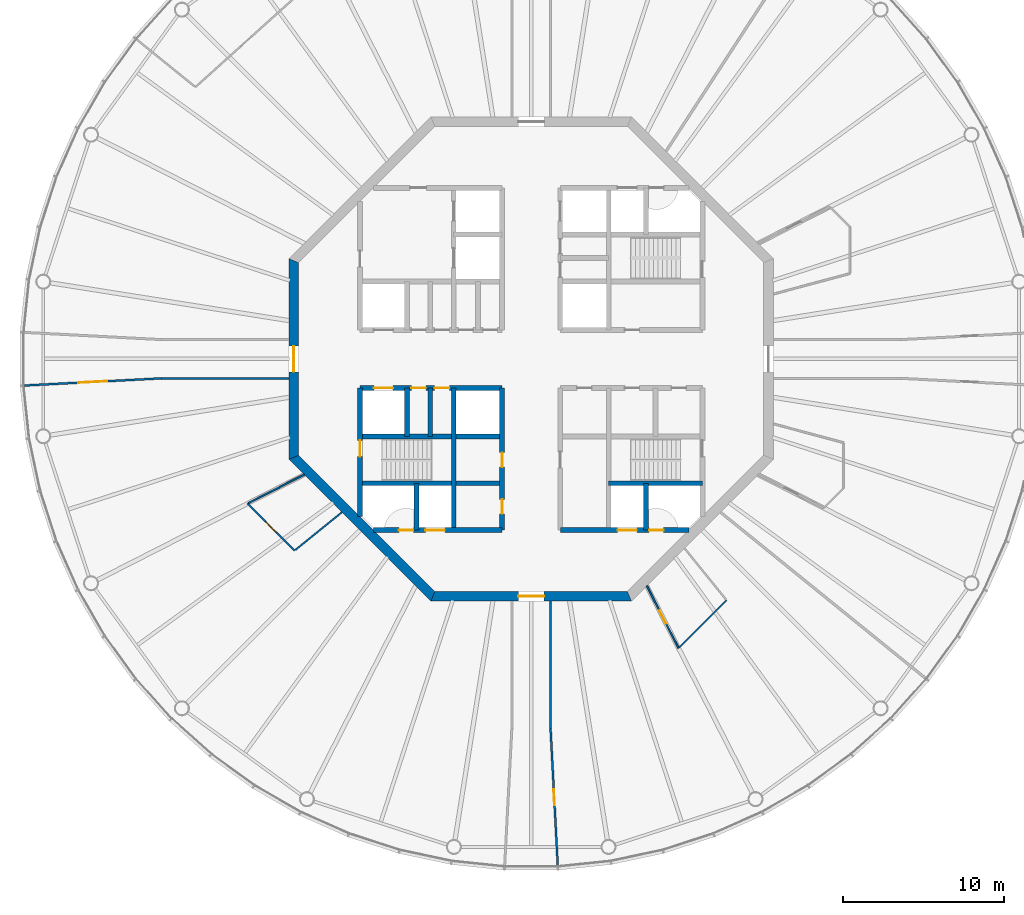
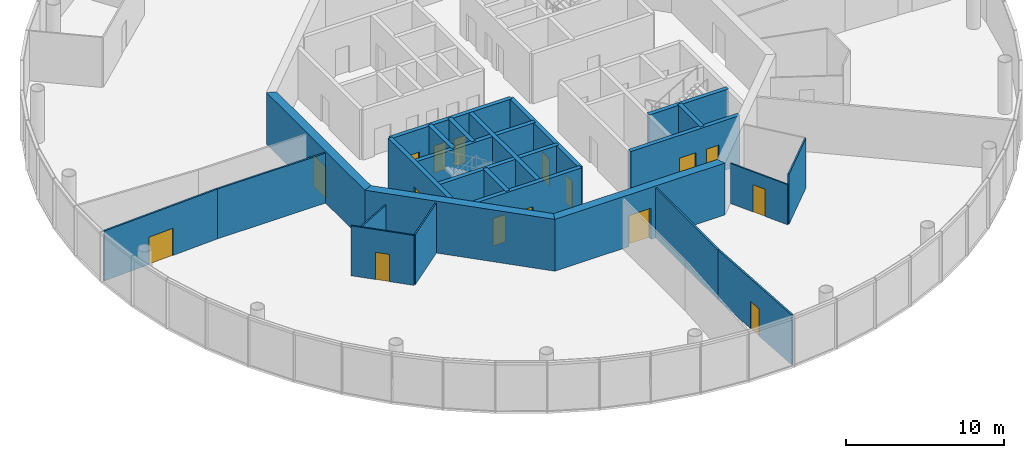
# One storey, part 3 of 13: 25 walls, 16 doors, 16 openings.
"""IFC4 building model written with IfcOpenShell, lengths in metres."""

from ifc_helpers import new_model, si_unit, direction, frame, frame_2d, origin, place, context, subcontext, project, spatial, polyline, rectangle, outline, extrude, material, layer, layer_set, type_object, element, fill, save


model = new_model("IFC4")

# Units and contexts
model_context = context("Model", 3, precision=1e-05, world=origin(), true_north=direction((0.0, 1.0)))
body_context = subcontext(model_context, "Body", "Model", "MODEL_VIEW")
ifc_project = project(units=[si_unit("LENGTHUNIT", "METRE"), si_unit("AREAUNIT", "SQUARE_METRE"), si_unit("VOLUMEUNIT", "CUBIC_METRE"), si_unit("PLANEANGLEUNIT", "RADIAN"), si_unit("MASSUNIT", "GRAM", prefix="KILO")], contexts=[model_context])

# Site, building, storey
site_placement = place(None, origin())
site = spatial("IfcSite", under=ifc_project, at=site_placement, CompositionType="ELEMENT")
building_placement = place(site_placement, origin())
building = spatial("IfcBuilding", under=site, at=building_placement, Name="Entoto Ring Tower", CompositionType="ELEMENT")
storey_placement = place(building_placement, frame((0.0, 0.0, 348.0)))
storey = spatial("IfcBuildingStorey", under=building, at=storey_placement, Name="L80", CompositionType="ELEMENT", Elevation=348.0)

# Wall
ifc_material_1 = material(Name="Concrete C40/50", Category="concrete")
ifc_layer_1 = layer(ifc_material_1, 0.300048828125)
ifc_layer_set_1 = layer_set([ifc_layer_1], Name="Concrete C40/50")
wall_type_1 = type_object("IfcWallType", Name="Core enclosure wall 300 mm reinforced concrete", PredefinedType="SOLIDWALL", material=ifc_layer_set_1)
wall_1_placement = place(storey_placement, frame((97.10009765625, 69.39990234375, 0.0), z_axis=(0.0, 0.0, 1.0), x_axis=(0.0, 1.0, 0.0)))
element("IfcWall", 1, at=wall_1_placement, inside=storey, type_object=wall_type_1, Name="wall-L80-004", PredefinedType="SOLIDWALL", context=body_context, shape_type="SweptSolid", body=[
    extrude(rectangle(XDim=2.900146484375, YDim=0.300048828125, at=frame_2d((1.4501953125, 0.0))), origin(), (0.0, 0.0, 1.0), 3.85009765625),
])

# Wall, openings, doors
wall_2_placement = place(storey_placement, frame((88.199951171875, 69.39990234375, 0.0), z_axis=(0.0, 0.0, 1.0), x_axis=(0.0, 1.0, 0.0)))
wall_2 = element("IfcWall", 2, at=wall_2_placement, inside=storey, type_object=wall_type_1, Name="wall-L80-010", PredefinedType="SOLIDWALL", context=body_context, shape_type="SweptSolid", body=[
    extrude(rectangle(XDim=8.800048828125, YDim=0.300048828125, at=frame_2d((4.39990234375, 0.0))), origin(), (0.0, 0.0, 1.0), 3.85009765625),
])
opening_1_placement = place(wall_2_placement, frame((3.89990234375, 0.0, 0.0)))
opening_1 = element("IfcOpeningElement", 3, at=opening_1_placement, cuts=wall_2, Name="Opening K-21", PredefinedType="OPENING", context=body_context, shape_type="SweptSolid", body=[
    extrude(rectangle(XDim=0.89990234375, YDim=2.10009765625, at=frame_2d((0.449951171875, 1.050048828125))), frame((0.0, 0.16015625, 0.0), z_axis=(0.0, -1.0, 0.0), x_axis=(1.0, 0.0, 0.0)), (0.0, 0.0, 1.0), 0.320068359375),
])
opening_2_placement = place(wall_2_placement, frame((1.0, 0.0, 0.0)))
opening_2 = element("IfcOpeningElement", 4, at=opening_2_placement, cuts=wall_2, Name="Opening K-69", PredefinedType="OPENING", context=body_context, shape_type="SweptSolid", body=[
    extrude(rectangle(XDim=0.89990234375, YDim=2.10009765625, at=frame_2d((0.449951171875, 1.050048828125))), frame((0.0, 0.16015625, 0.0), z_axis=(0.0, -1.0, 0.0), x_axis=(1.0, 0.0, 0.0)), (0.0, 0.0, 1.0), 0.320068359375),
])
ifc_material_2 = material(Name="Steel door leaf, fire rated", Category="steel")
ifc_layer_2 = layer(ifc_material_2, 0.050048828125)
ifc_layer_set_2 = layer_set([ifc_layer_2], Name="Steel door leaf, fire rated")
door_type_1 = type_object("IfcDoorType", Name="Core door 900 x 2100 single leaf", OperationType="NOTDEFINED", PredefinedType="DOOR", material=ifc_layer_set_2)
door_1_placement = place(opening_1_placement, origin())
door_1 = element("IfcDoor", 5, at=door_1_placement, inside=storey, type_object=door_type_1, Name="Door K-21", OperationType="SINGLE_SWING_RIGHT", OverallHeight=2.10009765625, OverallWidth=0.89990234375, PredefinedType="DOOR", context=body_context, shape_type="SweptSolid", body=[
    extrude(rectangle(XDim=0.89990234375, YDim=2.10009765625, at=frame_2d((0.449951171875, 1.050048828125))), frame((0.0, 0.02490234375, 0.0), z_axis=(0.0, -1.0, 0.0), x_axis=(1.0, 0.0, 0.0)), (0.0, 0.0, 1.0), 0.050048828125),
])
fill(opening_1, door_1)
door_2_placement = place(opening_2_placement, origin())
door_2 = element("IfcDoor", 6, at=door_2_placement, inside=storey, type_object=door_type_1, Name="Door K-69", OperationType="SINGLE_SWING_RIGHT", OverallHeight=2.10009765625, OverallWidth=0.89990234375, PredefinedType="DOOR", context=body_context, shape_type="SweptSolid", body=[
    extrude(rectangle(XDim=0.89990234375, YDim=2.10009765625, at=frame_2d((0.449951171875, 1.050048828125))), frame((0.0, 0.02490234375, 0.0), z_axis=(0.0, -1.0, 0.0), x_axis=(1.0, 0.0, 0.0)), (0.0, 0.0, 1.0), 0.050048828125),
])
fill(opening_2, door_2)

# Walls
wall_3_placement = place(storey_placement, frame((85.199951171875, 69.39990234375, 0.0), z_axis=(0.0, 0.0, 1.0), x_axis=(0.0, 1.0, 0.0)))
element("IfcWall", 7, at=wall_3_placement, inside=storey, type_object=wall_type_1, Name="wall-L80-013", PredefinedType="SOLIDWALL", context=body_context, shape_type="SweptSolid", body=[
    extrude(rectangle(XDim=8.800048828125, YDim=0.300048828125, at=frame_2d((4.39990234375, 0.0))), origin(), (0.0, 0.0, 1.0), 3.85009765625),
])
wall_4_placement = place(storey_placement, frame((83.75, 75.199951171875, 0.0), z_axis=(0.0, 0.0, 1.0), x_axis=(0.0, 1.0, 0.0)))
element("IfcWall", 8, at=wall_4_placement, inside=storey, type_object=wall_type_1, Name="wall-L80-015", PredefinedType="SOLIDWALL", context=body_context, shape_type="SweptSolid", body=[
    extrude(rectangle(XDim=3.0, YDim=0.300048828125, at=frame_2d((1.5, 0.0))), origin(), (0.0, 0.0, 1.0), 3.85009765625),
])
wall_5_placement = place(storey_placement, frame((82.89990234375, 69.39990234375, 0.0), z_axis=(0.0, 0.0, 1.0), x_axis=(0.0, 1.0, 0.0)))
element("IfcWall", 9, at=wall_5_placement, inside=storey, type_object=wall_type_1, Name="wall-L80-017", PredefinedType="SOLIDWALL", context=body_context, shape_type="SweptSolid", body=[
    extrude(rectangle(XDim=2.900146484375, YDim=0.300048828125, at=frame_2d((1.4501953125, 0.0))), origin(), (0.0, 0.0, 1.0), 3.85009765625),
])
wall_6_placement = place(storey_placement, frame((82.300048828125, 75.199951171875, 0.0), z_axis=(0.0, 0.0, 1.0), x_axis=(0.0, 1.0, 0.0)))
element("IfcWall", 10, at=wall_6_placement, inside=storey, type_object=wall_type_1, Name="wall-L80-018", PredefinedType="SOLIDWALL", context=body_context, shape_type="SweptSolid", body=[
    extrude(rectangle(XDim=3.0, YDim=0.300048828125, at=frame_2d((1.5, 0.0))), origin(), (0.0, 0.0, 1.0), 3.85009765625),
])

# Wall, opening, door
wall_7_placement = place(storey_placement, frame((79.39990234375, 70.2353515625, 0.0), z_axis=(0.0, 0.0, 1.0), x_axis=(0.0, 1.0, 0.0)))
wall_7 = element("IfcWall", 11, at=wall_7_placement, inside=storey, type_object=wall_type_1, Name="wall-L80-020", PredefinedType="SOLIDWALL", context=body_context, shape_type="SweptSolid", body=[
    extrude(rectangle(XDim=7.964599609375, YDim=0.300048828125, at=frame_2d((3.982421875, 0.0))), origin(), (0.0, 0.0, 1.0), 3.85009765625),
])
opening_3_placement = place(wall_7_placement, frame((3.714599609375, 0.0, 0.0)))
opening_3 = element("IfcOpeningElement", 12, at=opening_3_placement, cuts=wall_7, Name="Opening K-27", PredefinedType="OPENING", context=body_context, shape_type="SweptSolid", body=[
    extrude(rectangle(XDim=1.0, YDim=2.10009765625, at=frame_2d((0.5, 1.050048828125))), frame((0.0, 0.16015625, 0.0), z_axis=(0.0, -1.0, 0.0), x_axis=(1.0, 0.0, 0.0)), (0.0, 0.0, 1.0), 0.320068359375),
])
ifc_material_3 = material(Name="Steel door leaf, fire rated", Category="steel")
ifc_layer_3 = layer(ifc_material_3, 0.050048828125)
ifc_layer_set_3 = layer_set([ifc_layer_3], Name="Steel door leaf, fire rated")
door_type_2 = type_object("IfcDoorType", Name="Fire door FD60 1000 x 2100 single leaf", OperationType="NOTDEFINED", PredefinedType="DOOR", material=ifc_layer_set_3)
door_3_placement = place(opening_3_placement, frame((1.0, 0.0, 0.0), z_axis=(0.0, 0.0, 1.0), x_axis=(-1.0, 0.0, 0.0)))
door_3 = element("IfcDoor", 13, at=door_3_placement, inside=storey, type_object=door_type_2, Name="Door K-27", OperationType="SINGLE_SWING_LEFT", OverallHeight=2.10009765625, OverallWidth=1.0, PredefinedType="DOOR", context=body_context, shape_type="SweptSolid", body=[
    extrude(rectangle(XDim=1.0, YDim=2.10009765625, at=frame_2d((0.5, 1.050048828125))), frame((0.0, 0.02490234375, 0.0), z_axis=(0.0, -1.0, 0.0), x_axis=(1.0, 0.0, 0.0)), (0.0, 0.0, 1.0), 0.050048828125),
])
fill(opening_3, door_3)

# Wall, openings, doors
wall_8_placement = place(storey_placement, frame((80.2353515625, 69.39990234375, 0.0), z_axis=(0.0, 0.0, 1.0), x_axis=(1.0, 0.0, 0.0)))
wall_8 = element("IfcWall", 14, at=wall_8_placement, inside=storey, type_object=wall_type_1, Name="wall-L80-022", PredefinedType="SOLIDWALL", context=body_context, shape_type="SweptSolid", body=[
    extrude(rectangle(XDim=7.964599609375, YDim=0.300048828125, at=frame_2d((3.982421875, 0.0))), origin(), (0.0, 0.0, 1.0), 3.85009765625),
])
opening_4_placement = place(wall_8_placement, frame((3.214599609375, 0.0, 0.0)))
opening_4 = element("IfcOpeningElement", 15, at=opening_4_placement, cuts=wall_8, Name="Opening LD", PredefinedType="OPENING", context=body_context, shape_type="SweptSolid", body=[
    extrude(rectangle(XDim=1.199951171875, YDim=2.10009765625, at=frame_2d((0.60009765625, 1.050048828125))), frame((0.0, 0.16015625, 0.0), z_axis=(0.0, -1.0, 0.0), x_axis=(1.0, 0.0, 0.0)), (0.0, 0.0, 1.0), 0.320068359375),
])
opening_5_placement = place(wall_8_placement, frame((1.564697265625, 0.0, 0.0)))
opening_5 = element("IfcOpeningElement", 16, at=opening_5_placement, cuts=wall_8, Name="Opening K-84", PredefinedType="OPENING", context=body_context, shape_type="SweptSolid", body=[
    extrude(rectangle(XDim=0.89990234375, YDim=2.10009765625, at=frame_2d((0.449951171875, 1.050048828125))), frame((0.0, 0.16015625, 0.0), z_axis=(0.0, -1.0, 0.0), x_axis=(1.0, 0.0, 0.0)), (0.0, 0.0, 1.0), 0.320068359375),
])
ifc_material_4 = material(Name="Steel and glass door leaf", Category="steel")
ifc_layer_4 = layer(ifc_material_4, 0.050048828125)
ifc_layer_set_4 = layer_set([ifc_layer_4], Name="Steel and glass door leaf")
door_type_3 = type_object("IfcDoorType", Name="Landing door 1200 x 2100 sliding", OperationType="DOUBLE_DOOR_SLIDING", PredefinedType="DOOR", material=ifc_layer_set_4)
door_4_placement = place(opening_4_placement, origin())
door_4 = element("IfcDoor", 17, at=door_4_placement, inside=storey, type_object=door_type_3, Name="Landing door LB3-HR", OperationType="SLIDING_TO_RIGHT", OverallHeight=2.10009765625, OverallWidth=1.199951171875, PredefinedType="DOOR", context=body_context, shape_type="SweptSolid", body=[
    extrude(rectangle(XDim=1.199951171875, YDim=2.10009765625, at=frame_2d((0.60009765625, 1.050048828125))), frame((0.0, 0.02490234375, 0.0), z_axis=(0.0, -1.0, 0.0), x_axis=(1.0, 0.0, 0.0)), (0.0, 0.0, 1.0), 0.050048828125),
])
fill(opening_4, door_4)
ifc_material_5 = material(Name="Steel door leaf, fire rated", Category="steel")
ifc_layer_5 = layer(ifc_material_5, 0.050048828125)
ifc_layer_set_5 = layer_set([ifc_layer_5], Name="Steel door leaf, fire rated")
door_type_4 = type_object("IfcDoorType", Name="Riser door FD60 900 x 2100 single leaf", OperationType="NOTDEFINED", PredefinedType="DOOR", material=ifc_layer_set_5)
door_5_placement = place(opening_5_placement, origin())
door_5 = element("IfcDoor", 18, at=door_5_placement, inside=storey, type_object=door_type_4, Name="Door K-84", OperationType="SINGLE_SWING_RIGHT", OverallHeight=2.10009765625, OverallWidth=0.89990234375, PredefinedType="DOOR", context=body_context, shape_type="SweptSolid", body=[
    extrude(rectangle(XDim=0.89990234375, YDim=2.10009765625, at=frame_2d((0.449951171875, 1.050048828125))), frame((0.0, 0.02490234375, 0.0), z_axis=(0.0, -1.0, 0.0), x_axis=(1.0, 0.0, 0.0)), (0.0, 0.0, 1.0), 0.050048828125),
])
fill(opening_5, door_5)

wall_9_placement = place(storey_placement, frame((91.800048828125, 69.39990234375, 0.0), z_axis=(0.0, 0.0, 1.0), x_axis=(1.0, 0.0, 0.0)))
wall_9 = element("IfcWall", 19, at=wall_9_placement, inside=storey, type_object=wall_type_1, Name="wall-L80-023", PredefinedType="SOLIDWALL", context=body_context, shape_type="SweptSolid", body=[
    extrude(rectangle(XDim=7.964599609375, YDim=0.300048828125, at=frame_2d((3.982421875, 0.0))), origin(), (0.0, 0.0, 1.0), 3.85009765625),
])
opening_6_placement = place(wall_9_placement, frame((3.550048828125, 0.0, 0.0)))
opening_6 = element("IfcOpeningElement", 20, at=opening_6_placement, cuts=wall_9, Name="Opening LD", PredefinedType="OPENING", context=body_context, shape_type="SweptSolid", body=[
    extrude(rectangle(XDim=1.199951171875, YDim=2.10009765625, at=frame_2d((0.60009765625, 1.050048828125))), frame((0.0, 0.16015625, 0.0), z_axis=(0.0, -1.0, 0.0), x_axis=(1.0, 0.0, 0.0)), (0.0, 0.0, 1.0), 0.320068359375),
])
opening_7_placement = place(wall_9_placement, frame((5.5, 0.0, 0.0)))
opening_7 = element("IfcOpeningElement", 21, at=opening_7_placement, cuts=wall_9, Name="Opening K-85", PredefinedType="OPENING", context=body_context, shape_type="SweptSolid", body=[
    extrude(rectangle(XDim=0.89990234375, YDim=2.10009765625, at=frame_2d((0.449951171875, 1.050048828125))), frame((0.0, 0.16015625, 0.0), z_axis=(0.0, -1.0, 0.0), x_axis=(1.0, 0.0, 0.0)), (0.0, 0.0, 1.0), 0.320068359375),
])
door_6_placement = place(opening_6_placement, origin())
door_6 = element("IfcDoor", 22, at=door_6_placement, inside=storey, type_object=door_type_3, Name="Landing door LB2-HR", OperationType="SLIDING_TO_RIGHT", OverallHeight=2.10009765625, OverallWidth=1.199951171875, PredefinedType="DOOR", context=body_context, shape_type="SweptSolid", body=[
    extrude(rectangle(XDim=1.199951171875, YDim=2.10009765625, at=frame_2d((0.60009765625, 1.050048828125))), frame((0.0, 0.02490234375, 0.0), z_axis=(0.0, -1.0, 0.0), x_axis=(1.0, 0.0, 0.0)), (0.0, 0.0, 1.0), 0.050048828125),
])
fill(opening_6, door_6)
door_7_placement = place(opening_7_placement, origin())
door_7 = element("IfcDoor", 23, at=door_7_placement, inside=storey, type_object=door_type_4, Name="Door K-85", OperationType="SINGLE_SWING_LEFT", OverallHeight=2.10009765625, OverallWidth=0.89990234375, PredefinedType="DOOR", context=body_context, shape_type="SweptSolid", body=[
    extrude(rectangle(XDim=0.89990234375, YDim=2.10009765625, at=frame_2d((0.449951171875, 1.050048828125))), frame((0.0, 0.02490234375, 0.0), z_axis=(0.0, -1.0, 0.0), x_axis=(1.0, 0.0, 0.0)), (0.0, 0.0, 1.0), 0.050048828125),
])
fill(opening_7, door_7)

# Walls
wall_10_placement = place(storey_placement, frame((79.39990234375, 72.300048828125, 0.0), z_axis=(0.0, 0.0, 1.0), x_axis=(1.0, 0.0, 0.0)))
element("IfcWall", 24, at=wall_10_placement, inside=storey, type_object=wall_type_1, Name="wall-L80-024", PredefinedType="SOLIDWALL", context=body_context, shape_type="SweptSolid", body=[
    extrude(rectangle(XDim=8.800048828125, YDim=0.300048828125, at=frame_2d((4.39990234375, 0.0))), origin(), (0.0, 0.0, 1.0), 3.85009765625),
])
wall_11_placement = place(storey_placement, frame((94.800048828125, 72.300048828125, 0.0), z_axis=(0.0, 0.0, 1.0), x_axis=(1.0, 0.0, 0.0)))
element("IfcWall", 25, at=wall_11_placement, inside=storey, type_object=wall_type_1, Name="wall-L80-025", PredefinedType="SOLIDWALL", context=body_context, shape_type="SweptSolid", body=[
    extrude(rectangle(XDim=5.800048828125, YDim=0.300048828125, at=frame_2d((2.89990234375, 0.0))), origin(), (0.0, 0.0, 1.0), 3.85009765625),
])
wall_12_placement = place(storey_placement, frame((79.39990234375, 75.199951171875, 0.0), z_axis=(0.0, 0.0, 1.0), x_axis=(1.0, 0.0, 0.0)))
element("IfcWall", 26, at=wall_12_placement, inside=storey, type_object=wall_type_1, Name="wall-L80-026", PredefinedType="SOLIDWALL", context=body_context, shape_type="SweptSolid", body=[
    extrude(rectangle(XDim=8.800048828125, YDim=0.300048828125, at=frame_2d((4.39990234375, 0.0))), origin(), (0.0, 0.0, 1.0), 3.85009765625),
])

# Wall, openings, doors
wall_13_placement = place(storey_placement, frame((79.39990234375, 78.199951171875, 0.0), z_axis=(0.0, 0.0, 1.0), x_axis=(1.0, 0.0, 0.0)))
wall_13 = element("IfcWall", 27, at=wall_13_placement, inside=storey, type_object=wall_type_1, Name="wall-L80-028", PredefinedType="SOLIDWALL", context=body_context, shape_type="SweptSolid", body=[
    extrude(rectangle(XDim=8.800048828125, YDim=0.300048828125, at=frame_2d((4.39990234375, 0.0))), origin(), (0.0, 0.0, 1.0), 3.85009765625),
])
opening_8_placement = place(wall_13_placement, frame((0.85009765625, 0.0, 0.0)))
opening_8 = element("IfcOpeningElement", 28, at=opening_8_placement, cuts=wall_13, Name="Opening LD", PredefinedType="OPENING", context=body_context, shape_type="SweptSolid", body=[
    extrude(rectangle(XDim=1.199951171875, YDim=2.10009765625, at=frame_2d((0.60009765625, 1.050048828125))), frame((0.0, 0.16015625, 0.0), z_axis=(0.0, -1.0, 0.0), x_axis=(1.0, 0.0, 0.0)), (0.0, 0.0, 1.0), 0.320068359375),
])
opening_9_placement = place(wall_13_placement, frame((3.175048828125, 0.0, 0.0)))
opening_9 = element("IfcOpeningElement", 29, at=opening_9_placement, cuts=wall_13, Name="Opening K-16", PredefinedType="OPENING", context=body_context, shape_type="SweptSolid", body=[
    extrude(rectangle(XDim=0.89990234375, YDim=2.10009765625, at=frame_2d((0.449951171875, 1.050048828125))), frame((0.0, 0.16015625, 0.0), z_axis=(0.0, -1.0, 0.0), x_axis=(1.0, 0.0, 0.0)), (0.0, 0.0, 1.0), 0.320068359375),
])
opening_10_placement = place(wall_13_placement, frame((4.625, 0.0, 0.0)))
opening_10 = element("IfcOpeningElement", 30, at=opening_10_placement, cuts=wall_13, Name="Opening K-57", PredefinedType="OPENING", context=body_context, shape_type="SweptSolid", body=[
    extrude(rectangle(XDim=0.89990234375, YDim=2.10009765625, at=frame_2d((0.449951171875, 1.050048828125))), frame((0.0, 0.16015625, 0.0), z_axis=(0.0, -1.0, 0.0), x_axis=(1.0, 0.0, 0.0)), (0.0, 0.0, 1.0), 0.320068359375),
])
door_8_placement = place(opening_9_placement, frame((0.89990234375, 0.0, 0.0), z_axis=(0.0, 0.0, 1.0), x_axis=(-1.0, 0.0, 0.0)))
door_8 = element("IfcDoor", 31, at=door_8_placement, inside=storey, type_object=door_type_1, Name="Door K-16", OperationType="SINGLE_SWING_LEFT", OverallHeight=2.10009765625, OverallWidth=0.89990234375, PredefinedType="DOOR", context=body_context, shape_type="SweptSolid", body=[
    extrude(rectangle(XDim=0.89990234375, YDim=2.10009765625, at=frame_2d((0.449951171875, 1.050048828125))), frame((0.0, 0.02490234375, 0.0), z_axis=(0.0, -1.0, 0.0), x_axis=(1.0, 0.0, 0.0)), (0.0, 0.0, 1.0), 0.050048828125),
])
fill(opening_9, door_8)
door_9_placement = place(opening_10_placement, frame((0.89990234375, 0.0, 0.0), z_axis=(0.0, 0.0, 1.0), x_axis=(-1.0, 0.0, 0.0)))
door_9 = element("IfcDoor", 32, at=door_9_placement, inside=storey, type_object=door_type_1, Name="Door K-57", OperationType="SINGLE_SWING_LEFT", OverallHeight=2.10009765625, OverallWidth=0.89990234375, PredefinedType="DOOR", context=body_context, shape_type="SweptSolid", body=[
    extrude(rectangle(XDim=0.89990234375, YDim=2.10009765625, at=frame_2d((0.449951171875, 1.050048828125))), frame((0.0, 0.02490234375, 0.0), z_axis=(0.0, -1.0, 0.0), x_axis=(1.0, 0.0, 0.0)), (0.0, 0.0, 1.0), 0.050048828125),
])
fill(opening_10, door_9)
door_10_placement = place(opening_8_placement, origin())
door_10 = element("IfcDoor", 33, at=door_10_placement, inside=storey, type_object=door_type_3, Name="Landing door SH2", OperationType="SLIDING_TO_RIGHT", OverallHeight=2.10009765625, OverallWidth=1.199951171875, PredefinedType="DOOR", context=body_context, shape_type="SweptSolid", body=[
    extrude(rectangle(XDim=1.199951171875, YDim=2.10009765625, at=frame_2d((0.60009765625, 1.050048828125))), frame((0.0, 0.02490234375, 0.0), z_axis=(0.0, -1.0, 0.0), x_axis=(1.0, 0.0, 0.0)), (0.0, 0.0, 1.0), 0.050048828125),
])
fill(opening_8, door_10)

# Wall, opening, door
ifc_material_6 = material(Name="Concrete C40/50", Category="concrete")
ifc_layer_6 = layer(ifc_material_6, 0.60009765625)
ifc_layer_set_6 = layer_set([ifc_layer_6], Name="Concrete C40/50")
wall_type_2 = type_object("IfcWallType", Name="Core shear wall 600 mm reinforced concrete C40/50", PredefinedType="SHEAR", material=ifc_layer_set_6)
wall_14_placement = place(storey_placement, frame((75.300048828125, 86.0888671875, 0.0), z_axis=(0.0, 0.0, 1.0), x_axis=(0.0, -1.0, 0.0)))
wall_14 = element("IfcWall", 34, at=wall_14_placement, inside=storey, type_object=wall_type_2, Name="wall-L80-core-4", PredefinedType="SHEAR", context=body_context, shape_type="SweptSolid", body=[
    extrude(outline(polyline([(-0.124267578125, -0.300048828125), (12.302001953125, -0.300048828125), (12.053466796875, 0.300048828125), (0.124267578125, 0.300048828125), (-0.124267578125, -0.300048828125)])), origin(), (0.0, 0.0, 1.0), 4.0),
])
opening_11_placement = place(wall_14_placement, frame((5.288818359375, 0.0, 0.0)))
opening_11 = element("IfcOpeningElement", 35, at=opening_11_placement, cuts=wall_14, Name="Opening K-03", PredefinedType="OPENING", context=body_context, shape_type="SweptSolid", body=[
    extrude(rectangle(XDim=1.60009765625, YDim=2.39990234375, at=frame_2d((0.800048828125, 1.199951171875))), frame((0.0, 0.31005859375, 0.0), z_axis=(0.0, -1.0, 0.0), x_axis=(1.0, 0.0, 0.0)), (0.0, 0.0, 1.0), 0.6201171875),
])
ifc_material_7 = material(Name="Steel door leaf, fire rated", Category="steel")
ifc_layer_7 = layer(ifc_material_7, 0.050048828125)
ifc_layer_set_7 = layer_set([ifc_layer_7], Name="Steel door leaf, fire rated")
door_type_5 = type_object("IfcDoorType", Name="Entrance door FD60 1600 x 2400 double leaf", OperationType="DOUBLE_DOOR_SINGLE_SWING", PredefinedType="DOOR", material=ifc_layer_set_7)
door_11_placement = place(opening_11_placement, origin())
door_11 = element("IfcDoor", 36, at=door_11_placement, inside=storey, type_object=door_type_5, Name="Entrance door K-03", OperationType="DOUBLE_DOOR_SINGLE_SWING", OverallHeight=2.39990234375, OverallWidth=1.60009765625, PredefinedType="DOOR", context=body_context, shape_type="SweptSolid", body=[
    extrude(rectangle(XDim=1.60009765625, YDim=2.39990234375, at=frame_2d((0.800048828125, 1.199951171875))), frame((0.0, 0.02490234375, 0.0), z_axis=(0.0, -1.0, 0.0), x_axis=(1.0, 0.0, 0.0)), (0.0, 0.0, 1.0), 0.050048828125),
])
fill(opening_11, door_11)

# Wall
wall_15_placement = place(storey_placement, frame((75.300048828125, 73.9111328125, 0.0), z_axis=(0.0, 0.0, 1.0), x_axis=(0.707106781187, -0.707106781187, 0.0)))
element("IfcWall", 37, at=wall_15_placement, inside=storey, type_object=wall_type_2, Name="wall-L80-core-5", PredefinedType="SHEAR", context=body_context, shape_type="SweptSolid", body=[
    extrude(outline(polyline([(-0.124267578125, -0.300048828125), (12.30224609375, -0.300048828125), (12.0537109375, 0.300048828125), (0.124267578125, 0.300048828125), (-0.124267578125, -0.300048828125)])), origin(), (0.0, 0.0, 1.0), 4.0),
])

# Wall, opening, door
wall_16_placement = place(storey_placement, frame((83.9111328125, 65.300048828125, 0.0), z_axis=(0.0, 0.0, 1.0), x_axis=(1.0, 0.0, 0.0)))
wall_16 = element("IfcWall", 38, at=wall_16_placement, inside=storey, type_object=wall_type_2, Name="wall-L80-core-6", PredefinedType="SHEAR", context=body_context, shape_type="SweptSolid", body=[
    extrude(outline(polyline([(-0.124267578125, -0.300048828125), (12.302001953125, -0.300048828125), (12.053466796875, 0.300048828125), (0.124267578125, 0.300048828125), (-0.124267578125, -0.300048828125)])), origin(), (0.0, 0.0, 1.0), 4.0),
])
opening_12_placement = place(wall_16_placement, frame((5.288818359375, 0.0, 0.0)))
opening_12 = element("IfcOpeningElement", 39, at=opening_12_placement, cuts=wall_16, Name="Opening K-04", PredefinedType="OPENING", context=body_context, shape_type="SweptSolid", body=[
    extrude(rectangle(XDim=1.60009765625, YDim=2.39990234375, at=frame_2d((0.800048828125, 1.199951171875))), frame((0.0, 0.31005859375, 0.0), z_axis=(0.0, -1.0, 0.0), x_axis=(1.0, 0.0, 0.0)), (0.0, 0.0, 1.0), 0.6201171875),
])
door_12_placement = place(opening_12_placement, origin())
door_12 = element("IfcDoor", 40, at=door_12_placement, inside=storey, type_object=door_type_5, Name="Entrance door K-04", OperationType="DOUBLE_DOOR_SINGLE_SWING", OverallHeight=2.39990234375, OverallWidth=1.60009765625, PredefinedType="DOOR", context=body_context, shape_type="SweptSolid", body=[
    extrude(rectangle(XDim=1.60009765625, YDim=2.39990234375, at=frame_2d((0.800048828125, 1.199951171875))), frame((0.0, 0.02490234375, 0.0), z_axis=(0.0, -1.0, 0.0), x_axis=(1.0, 0.0, 0.0)), (0.0, 0.0, 1.0), 0.050048828125),
])
fill(opening_12, door_12)

ifc_material_8 = material(Name="Fire-resisting plasterboard on steel studs", Category="steel")
ifc_layer_8 = layer(ifc_material_8, 0.125)
ifc_layer_set_8 = layer_set([ifc_layer_8], Name="Fire-resisting plasterboard on steel studs")
wall_type_3 = type_object("IfcWallType", Name="Corridor wall 125 mm one-hour plasterboard on steel studs", PredefinedType="PARTITIONING", material=ifc_layer_set_8)
wall_17_placement = place(storey_placement, frame((58.60302734375, 78.3544921875, 0.0), z_axis=(0.0, 0.0, 1.0), x_axis=(0.998628821692, 0.05234956051, 0.0)))
wall_17 = element("IfcWall", 41, at=wall_17_placement, inside=storey, type_object=wall_type_3, Name="partition-L80-001", PredefinedType="PARTITIONING", context=body_context, shape_type="SweptSolid", body=[
    extrude(rectangle(XDim=8.51123046875, YDim=0.125, at=frame_2d((4.255615234375, 0.0))), origin(), (0.0, 0.0, 1.0), 3.85009765625),
])
opening_13_placement = place(wall_17_placement, frame((3.355712890625, 0.0, 0.0)))
opening_13 = element("IfcOpeningElement", 42, at=opening_13_placement, cuts=wall_17, Name="Opening A35-D06", PredefinedType="OPENING", context=body_context, shape_type="SweptSolid", body=[
    extrude(rectangle(XDim=1.800048828125, YDim=2.10009765625, at=frame_2d((0.89990234375, 1.050048828125))), frame((0.0, 0.072509765625, 0.0), z_axis=(0.0, -1.0, 0.0), x_axis=(1.0, 0.0, 0.0)), (0.0, 0.0, 1.0), 0.14501953125),
])
ifc_material_9 = material(Name="Fire-resisting timber door set", Category="wood")
door_type_6 = type_object("IfcDoorType", Name="Door 1800 x 2100 double leaf FD30S fire door", OperationType="DOUBLE_DOOR_SINGLE_SWING", PredefinedType="DOOR", material=ifc_material_9)
door_13_placement = place(opening_13_placement, origin())
door_13 = element("IfcDoor", 43, at=door_13_placement, inside=storey, type_object=door_type_6, Name="Door A35-D06", OperationType="DOUBLE_DOOR_SINGLE_SWING", OverallHeight=2.10009765625, OverallWidth=1.800048828125, PredefinedType="DOOR", context=body_context, shape_type="SweptSolid", body=[
    extrude(rectangle(XDim=1.800048828125, YDim=2.10009765625, at=frame_2d((0.89990234375, 1.050048828125))), frame((0.0, 0.02490234375, 0.0), z_axis=(0.0, -1.0, 0.0), x_axis=(1.0, 0.0, 0.0)), (0.0, 0.0, 1.0), 0.050048828125),
])
fill(opening_13, door_13)

wall_18_placement = place(storey_placement, frame((91.6455078125, 48.60302734375, 0.0), z_axis=(0.0, 0.0, 1.0), x_axis=(-0.05234956051, 0.998628821692, 0.0)))
wall_18 = element("IfcWall", 44, at=wall_18_placement, inside=storey, type_object=wall_type_3, Name="partition-L80-006", PredefinedType="PARTITIONING", context=body_context, shape_type="SweptSolid", body=[
    extrude(rectangle(XDim=8.51123046875, YDim=0.125, at=frame_2d((4.255615234375, 0.0))), origin(), (0.0, 0.0, 1.0), 3.85009765625),
])
opening_14_placement = place(wall_18_placement, frame((3.755615234375, 0.0, 0.0)))
opening_14 = element("IfcOpeningElement", 45, at=opening_14_placement, cuts=wall_18, Name="Opening A35-D08", PredefinedType="OPENING", context=body_context, shape_type="SweptSolid", body=[
    extrude(rectangle(XDim=1.0, YDim=2.10009765625, at=frame_2d((0.5, 1.050048828125))), frame((0.0, 0.072509765625, 0.0), z_axis=(0.0, -1.0, 0.0), x_axis=(1.0, 0.0, 0.0)), (0.0, 0.0, 1.0), 0.14501953125),
])
ifc_material_10 = material(Name="Fire-resisting timber door set", Category="wood")
door_type_7 = type_object("IfcDoorType", Name="Door 1000 x 2100 single leaf FD30S fire door", OperationType="NOTDEFINED", PredefinedType="DOOR", material=ifc_material_10)
door_14_placement = place(opening_14_placement, frame((1.0, 0.0, 0.0), z_axis=(0.0, 0.0, 1.0), x_axis=(-1.0, 0.0, 0.0)))
door_14 = element("IfcDoor", 46, at=door_14_placement, inside=storey, type_object=door_type_7, Name="Door A35-D08", OperationType="SINGLE_SWING_RIGHT", OverallHeight=2.10009765625, OverallWidth=1.0, PredefinedType="DOOR", context=body_context, shape_type="SweptSolid", body=[
    extrude(rectangle(XDim=1.0, YDim=2.10009765625, at=frame_2d((0.5, 1.050048828125))), frame((0.0, 0.02490234375, 0.0), z_axis=(0.0, -1.0, 0.0), x_axis=(1.0, 0.0, 0.0)), (0.0, 0.0, 1.0), 0.050048828125),
])
fill(opening_14, door_14)

# Walls
for number, where, z_axis, x_axis, name in (
    (47, (67.10595703125, 78.800048828125, 0.0), (0.0, 0.0, 1.0), (1.0, 0.0, 0.0), "partition-L80-009"),
    (48, (91.199951171875, 57.10595703125, 0.0), (0.0, 0.0, 1.0), (0.0, 1.0, 0.0), "partition-L80-013"),
):
    element("IfcWall", number, at=place(storey_placement, frame(where, z_axis=z_axis, x_axis=x_axis)), inside=storey, type_object=wall_type_3, Name=name, PredefinedType="PARTITIONING", context=body_context, shape_type="SweptSolid", body=[
        extrude(rectangle(XDim=7.89404296875, YDim=0.125, at=frame_2d((3.947021484375, 0.0))), origin(), (0.0, 0.0, 1.0), 3.85009765625),
    ])
ifc_material_11 = material(Name="Plasterboard on steel studs", Category="steel")
ifc_layer_9 = layer(ifc_material_11, 0.10009765625)
ifc_layer_set_9 = layer_set([ifc_layer_9], Name="Plasterboard on steel studs")
wall_type_4 = type_object("IfcWallType", Name="Partition 100 mm plasterboard on steel studs", PredefinedType="PARTITIONING", material=ifc_layer_set_9)
wall_19_placement = place(storey_placement, frame((99.175537109375, 62.1357421875, 0.0), z_axis=(0.0, 0.0, 1.0), x_axis=(0.707106781187, 0.707106781187, 0.0)))
element("IfcWall", 49, at=wall_19_placement, inside=storey, type_object=wall_type_4, Name="partition-L80-027", PredefinedType="PARTITIONING", context=body_context, shape_type="SweptSolid", body=[
    extrude(rectangle(XDim=4.13427734375, YDim=0.10009765625, at=frame_2d((2.067138671875, 0.0))), origin(), (0.0, 0.0, 1.0), 3.85009765625),
])

# Wall, opening, door
wall_20_placement = place(storey_placement, frame((75.34033203125, 68.12890625, 0.0), z_axis=(0.0, 0.0, 1.0), x_axis=(-0.707077178408, 0.707136382726, 0.0)))
wall_20 = element("IfcWall", 50, at=wall_20_placement, inside=storey, type_object=wall_type_4, Name="partition-L80-029", PredefinedType="PARTITIONING", context=body_context, shape_type="SweptSolid", body=[
    extrude(rectangle(XDim=4.123779296875, YDim=0.10009765625, at=frame_2d((2.06201171875, 0.0))), origin(), (0.0, 0.0, 1.0), 3.85009765625),
])
opening_15_placement = place(wall_20_placement, frame((1.61181640625, 0.0, 0.0)))
opening_15 = element("IfcOpeningElement", 51, at=opening_15_placement, cuts=wall_20, Name="Opening A35-D07", PredefinedType="OPENING", context=body_context, shape_type="SweptSolid", body=[
    extrude(rectangle(XDim=0.89990234375, YDim=2.10009765625, at=frame_2d((0.449951171875, 1.050048828125))), frame((0.0, 0.06005859375, 0.0), z_axis=(0.0, -1.0, 0.0), x_axis=(1.0, 0.0, 0.0)), (0.0, 0.0, 1.0), 0.1201171875),
])
ifc_material_12 = material(Name="Veneered timber door leaf in timber frame", Category="wood")
door_type_8 = type_object("IfcDoorType", Name="Door 900 x 2100 single leaf timber veneer", OperationType="NOTDEFINED", PredefinedType="DOOR", material=ifc_material_12)
door_15_placement = place(opening_15_placement, frame((0.89990234375, 0.0, 0.0), z_axis=(0.0, 0.0, 1.0), x_axis=(-1.0, 0.0, 0.0)))
door_15 = element("IfcDoor", 52, at=door_15_placement, inside=storey, type_object=door_type_8, Name="Door A35-D07", OperationType="SINGLE_SWING_LEFT", OverallHeight=2.10009765625, OverallWidth=0.89990234375, PredefinedType="DOOR", context=body_context, shape_type="SweptSolid", body=[
    extrude(rectangle(XDim=0.89990234375, YDim=2.10009765625, at=frame_2d((0.449951171875, 1.050048828125))), frame((0.0, 0.02490234375, 0.0), z_axis=(0.0, -1.0, 0.0), x_axis=(1.0, 0.0, 0.0)), (0.0, 0.0, 1.0), 0.050048828125),
])
fill(opening_15, door_15)

# Wall
wall_21_placement = place(storey_placement, frame((75.37890625, 68.16015625, 0.0), z_axis=(0.0, 0.0, 1.0), x_axis=(0.77713971997, 0.629328098566, 0.0)))
element("IfcWall", 53, at=wall_21_placement, inside=storey, type_object=wall_type_4, Name="partition-L80-031", PredefinedType="PARTITIONING", context=body_context, shape_type="SweptSolid", body=[
    extrude(rectangle(XDim=3.731201171875, YDim=0.10009765625, at=frame_2d((1.86572265625, 0.0))), origin(), (0.0, 0.0, 1.0), 3.85009765625),
])

# Wall, opening, door
ifc_material_13 = material(Name="Plasterboard on steel studs", Category="steel")
ifc_layer_10 = layer(ifc_material_13, 0.10009765625)
ifc_layer_set_10 = layer_set([ifc_layer_10], Name="Plasterboard on steel studs")
wall_type_5 = type_object("IfcWallType", Name="Partition 100 mm plasterboard on steel studs, 3097 mm high", PredefinedType="PARTITIONING", material=ifc_layer_set_10)
wall_22_placement = place(storey_placement, frame((99.126953125, 62.087158203125, 0.0), z_axis=(0.0, 0.0, 1.0), x_axis=(-0.453963772486, 0.891020141899, 0.0)))
wall_22 = element("IfcWall", 54, at=wall_22_placement, inside=storey, type_object=wall_type_5, Name="partition-L80-026", PredefinedType="PARTITIONING", context=body_context, shape_type="SweptSolid", body=[
    extrude(rectangle(XDim=4.33203125, YDim=0.10009765625, at=frame_2d((2.166015625, 0.0))), origin(), (0.0, 0.0, 1.0), 3.096923828125),
])
opening_16_placement = place(wall_22_placement, frame((1.716064453125, 0.0, 0.0)))
opening_16 = element("IfcOpeningElement", 55, at=opening_16_placement, cuts=wall_22, Name="Opening A35-D09", PredefinedType="OPENING", context=body_context, shape_type="SweptSolid", body=[
    extrude(rectangle(XDim=0.89990234375, YDim=2.10009765625, at=frame_2d((0.449951171875, 1.050048828125))), frame((0.0, 0.06005859375, 0.0), z_axis=(0.0, -1.0, 0.0), x_axis=(1.0, 0.0, 0.0)), (0.0, 0.0, 1.0), 0.1201171875),
])
door_16_placement = place(opening_16_placement, frame((0.89990234375, 0.0, 0.0), z_axis=(0.0, 0.0, 1.0), x_axis=(-1.0, 0.0, 0.0)))
door_16 = element("IfcDoor", 56, at=door_16_placement, inside=storey, type_object=door_type_8, Name="Door A35-D09", OperationType="SINGLE_SWING_RIGHT", OverallHeight=2.10009765625, OverallWidth=0.89990234375, PredefinedType="DOOR", context=body_context, shape_type="SweptSolid", body=[
    extrude(rectangle(XDim=0.89990234375, YDim=2.10009765625, at=frame_2d((0.449951171875, 1.050048828125))), frame((0.0, 0.02490234375, 0.0), z_axis=(0.0, -1.0, 0.0), x_axis=(1.0, 0.0, 0.0)), (0.0, 0.0, 1.0), 0.050048828125),
])
fill(opening_16, door_16)

# Wall
wall_23_placement = place(storey_placement, frame((72.485595703125, 71.075927734375, 0.0), z_axis=(0.0, 0.0, 1.0), x_axis=(0.89100784158, 0.453987914203, 0.0)))
element("IfcWall", 57, at=wall_23_placement, inside=storey, type_object=wall_type_5, Name="partition-L80-030", PredefinedType="PARTITIONING", context=body_context, shape_type="SweptSolid", body=[
    extrude(rectangle(XDim=3.884765625, YDim=0.10009765625, at=frame_2d((1.9423828125, 0.0))), origin(), (0.0, 0.0, 1.0), 3.096923828125),
])

save(model, "model.ifc")
